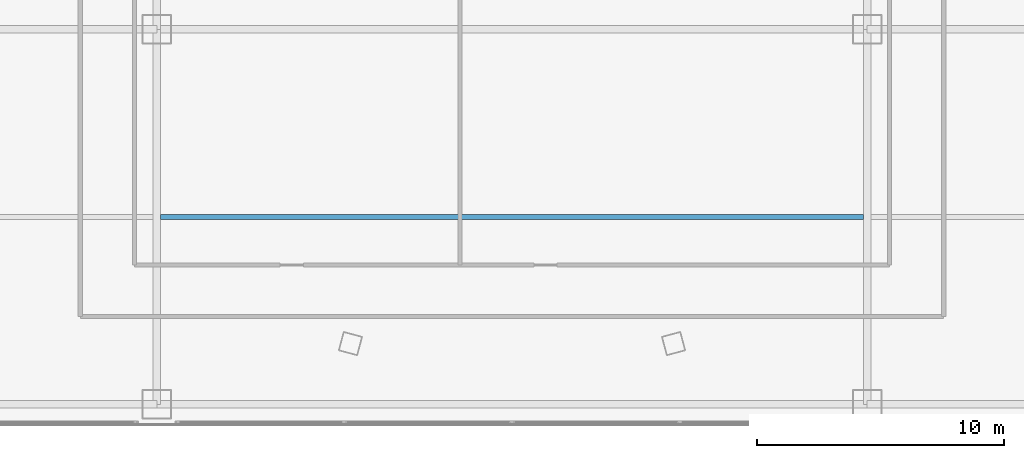
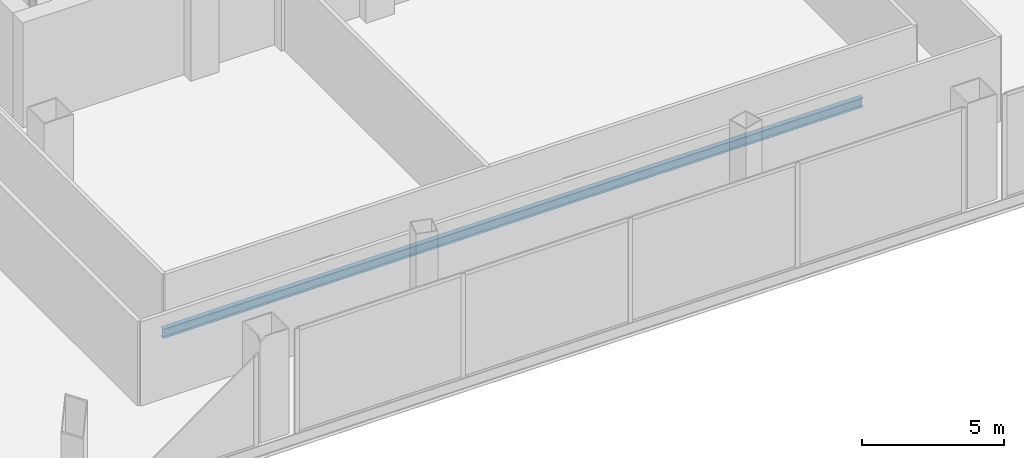
# One storey, part 10 of 27: 1 beam.
"""IFC4 building model written with IfcOpenShell, lengths in metres."""

from ifc_helpers import new_model, si_unit, direction, frame, origin, origin_2d, place, context, subcontext, project, spatial, i_section, extrude, source, transform, mapped, material, material_profile, profile_set, type_object, element, save


model = new_model("IFC4")

# Units and contexts
model_context = context("Model", 3, precision=1e-05, world=origin(), true_north=direction((0.0, 1.0)))
body_context = subcontext(model_context, "Body", "Model", "MODEL_VIEW")
ifc_project = project(units=[si_unit("LENGTHUNIT", "METRE"), si_unit("AREAUNIT", "SQUARE_METRE"), si_unit("VOLUMEUNIT", "CUBIC_METRE"), si_unit("PLANEANGLEUNIT", "RADIAN"), si_unit("MASSUNIT", "GRAM", prefix="KILO"), si_unit("THERMODYNAMICTEMPERATUREUNIT", "KELVIN"), si_unit("POWERUNIT", "WATT")], contexts=[model_context])

# Site, building, storey
site_placement = place(None, origin())
site = spatial("IfcSite", under=ifc_project, at=site_placement, CompositionType="ELEMENT")
building_placement = place(site_placement, origin())
building = spatial("IfcBuilding", under=site, at=building_placement, Name="Yunzhuo Pagoda Commons", CompositionType="ELEMENT")
storey_placement = place(building_placement, frame((0.0, 0.0, 9.60009765625)))
storey = spatial("IfcBuildingStorey", under=building, at=storey_placement, Name="L03", CompositionType="ELEMENT", Elevation=9.60009765625)

# Beam
ifc_material = material(Name="Structural steel Q355B", Category="steel")
ifc_material_profile = material_profile(ifc_material, i_section(OverallWidth=0.199951171875, OverallDepth=0.39990234375, WebThickness=0.008056640625, FlangeThickness=0.012939453125, at=origin_2d()), Name="Structural steel Q355B")
ifc_profile_set = profile_set([ifc_material_profile], Name="Structural steel Q355B")
beam_type = type_object("IfcBeamType", Name="B-JS1 Joist HN 400x200x8x13", PredefinedType="JOIST", material=ifc_profile_set)
shared_shape = source(origin(), body_context, "Body", "SweptSolid", [
    extrude(i_section(OverallWidth=0.199951171875, OverallDepth=0.39990234375, WebThickness=0.008056640625, FlangeThickness=0.012939453125, at=origin_2d()), origin(), (0.0, 0.0, 1.0), 28.490234375),
])
beam_placement = place(storey_placement, frame((33.7548828125, 14.39990234375, -0.47998046875), z_axis=(1.0, 0.0, 0.0), x_axis=(0.0, 1.0, 0.0)))
element("IfcBeam", 1, at=beam_placement, inside=storey, type_object=beam_type, Name="L03 podium composite joist 3.1", PredefinedType="JOIST", context=body_context, shape_type="MappedRepresentation", body=[
    mapped(shared_shape, transform((0.0, 0.0, 0.0), scale=1.0)),
])

save(model, "model.ifc")
